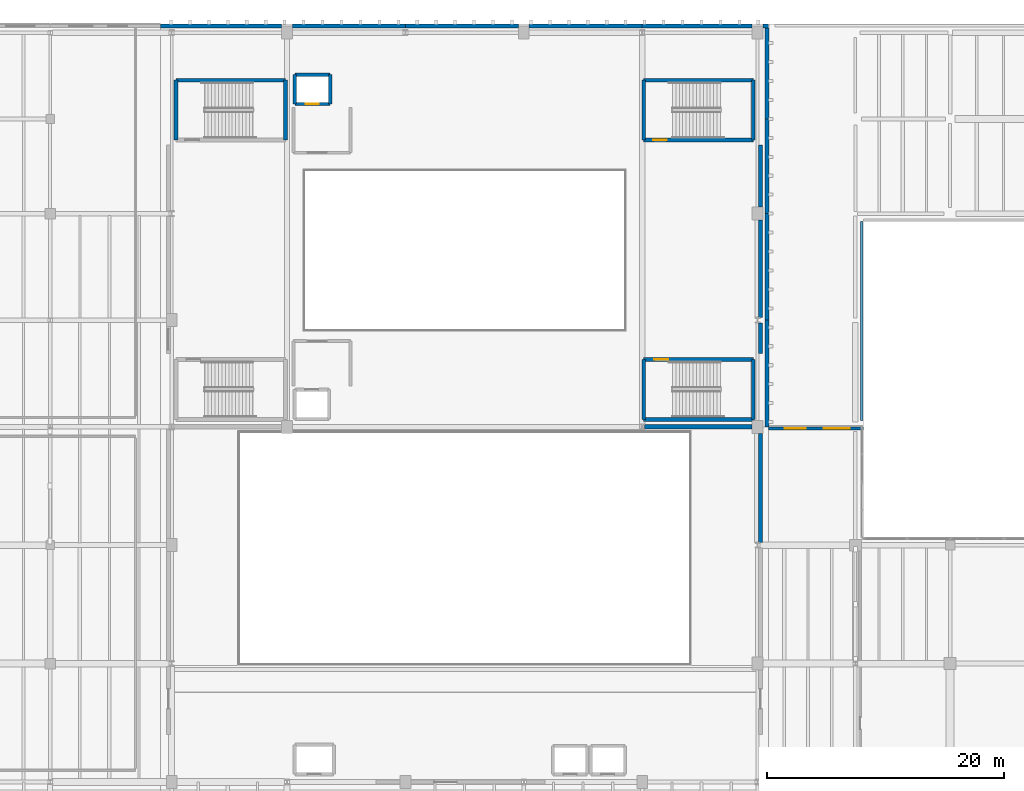
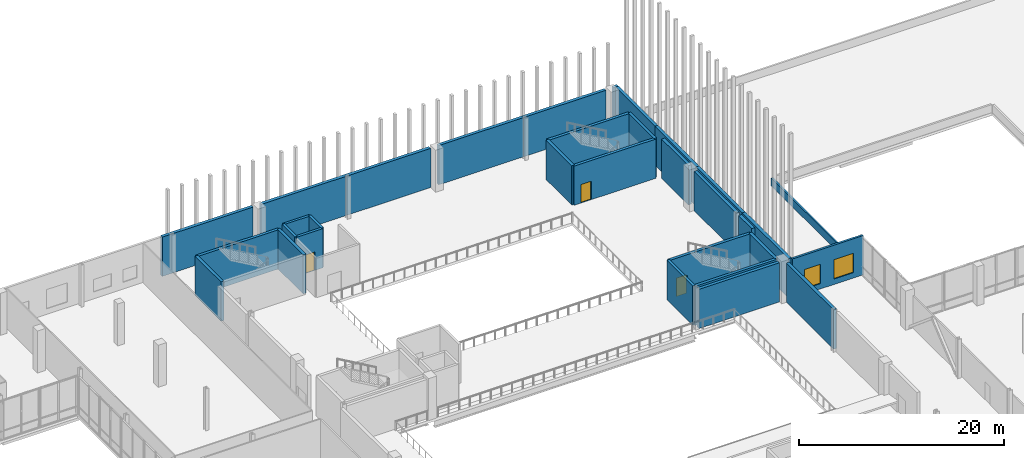
# One storey, part 46 of 60: 32 walls, 3 doors, 2 windows, 5 openings.
"""IFC4 building model written with IfcOpenShell, lengths in metres."""

from ifc_helpers import new_model, si_unit, direction, frame, frame_2d, origin, place, context, subcontext, project, spatial, rectangle, extrude, material, layer, layer_set, type_object, element, fill, save


model = new_model("IFC4")

# Units and contexts
model_context = context("Model", 3, precision=1e-05, world=origin(), true_north=direction((0.0, 1.0)))
body_context = subcontext(model_context, "Body", "Model", "MODEL_VIEW")
ifc_project = project(units=[si_unit("LENGTHUNIT", "METRE"), si_unit("AREAUNIT", "SQUARE_METRE"), si_unit("VOLUMEUNIT", "CUBIC_METRE"), si_unit("PLANEANGLEUNIT", "RADIAN"), si_unit("MASSUNIT", "GRAM", prefix="KILO")], contexts=[model_context])

# Site, building, storey
site_placement = place(None, origin())
site = spatial("IfcSite", under=ifc_project, at=site_placement, CompositionType="ELEMENT")
building_placement = place(site_placement, origin())
building = spatial("IfcBuilding", under=site, at=building_placement, Name="Trimount Lyric Opera House", CompositionType="ELEMENT")
storey_placement = place(building_placement, frame((0.0, 0.0, 15.0)))
storey = spatial("IfcBuildingStorey", under=building, at=storey_placement, Name="L03", CompositionType="ELEMENT", Elevation=15.0)

# Wall
ifc_material_1 = material(Name="Precast concrete C40/50", Category="concrete")
ifc_layer_1 = layer(ifc_material_1, 0.18994140625)
ifc_layer_set_1 = layer_set([ifc_layer_1], Name="WL-PA190")
wall_type_1 = type_object("IfcWallType", Name="WL-PA190", PredefinedType="PARAPET", material=ifc_layer_set_1)
wall_1_placement = place(storey_placement, frame((122.5400390625, 101.320068359375, 0.0), z_axis=(0.0, 0.0, 1.0), x_axis=(0.0, -1.0, 0.0)))
element("IfcWall", 1, at=wall_1_placement, inside=storey, type_object=wall_type_1, Name="L03 roof parapet 013", PredefinedType="PARAPET", context=body_context, shape_type="SweptSolid", body=[
    extrude(rectangle(XDim=16.77001953125, YDim=0.18994140625, at=frame_2d((8.385009765625, 0.0))), origin(), (0.0, 0.0, 1.0), 0.949951171875),
])

# Wall, opening, door
ifc_material_2 = material(Name="Concrete C40/50", Category="concrete")
ifc_layer_2 = layer(ifc_material_2, 0.280029296875)
ifc_layer_set_2 = layer_set([ifc_layer_2], Name="WL-SH280")
wall_type_2 = type_object("IfcWallType", Name="WL-SH280", PredefinedType="SHEAR", material=ifc_layer_set_2)
wall_2_placement = place(storey_placement, frame((74.659912109375, 111.260009765625, 0.0), z_axis=(0.0, 0.0, 1.0), x_axis=(1.0, 0.0, 0.0)))
wall_2 = element("IfcWall", 2, at=wall_2_placement, inside=storey, type_object=wall_type_2, Name="Lift LF-05 L03 south shaft wall", PredefinedType="SHEAR", context=body_context, shape_type="SweptSolid", body=[
    extrude(rectangle(XDim=2.97998046875, YDim=0.280029296875, at=frame_2d((1.489990234375, 0.0))), origin(), (0.0, 0.0, 1.0), 4.675048828125),
])
opening_1_placement = place(wall_2_placement, frame((0.93994140625, 0.0, 0.0)))
opening_1 = element("IfcOpeningElement", 3, at=opening_1_placement, cuts=wall_2, Name="Opening DT-LD1", PredefinedType="OPENING", context=body_context, shape_type="SweptSolid", body=[
    extrude(rectangle(XDim=1.10009765625, YDim=2.199951171875, at=frame_2d((0.550048828125, 1.10009765625))), frame((0.0, 0.14990234375, 0.0), z_axis=(0.0, -1.0, 0.0), x_axis=(1.0, 0.0, 0.0)), (0.0, 0.0, 1.0), 0.300048828125),
])
ifc_material_3 = material(Name="Brushed Stainless Steel", Category="steel")
door_type_1 = type_object("IfcDoorType", Name="DT-LD1", OperationType="SLIDING_TO_LEFT", PredefinedType="DOOR", material=ifc_material_3)
door_1_placement = place(opening_1_placement, origin())
door_1 = element("IfcDoor", 4, at=door_1_placement, inside=storey, type_object=door_type_1, Name="D-099", OperationType="SLIDING_TO_LEFT", OverallHeight=2.199951171875, OverallWidth=1.10009765625, PredefinedType="DOOR", context=body_context, shape_type="SweptSolid", body=[
    extrude(rectangle(XDim=1.10009765625, YDim=2.199951171875, at=frame_2d((0.550048828125, 1.10009765625))), frame((0.0, 0.02490234375, 0.0), z_axis=(0.0, -1.0, 0.0), x_axis=(1.0, 0.0, 0.0)), (0.0, 0.0, 1.0), 0.050048828125),
])
fill(opening_1, door_1)

# Walls
wall_3_placement = place(storey_placement, frame((77.639892578125, 113.739990234375, 0.0), z_axis=(0.0, 0.0, 1.0), x_axis=(-1.0, 0.0, 0.0)))
element("IfcWall", 5, at=wall_3_placement, inside=storey, type_object=wall_type_2, Name="Lift LF-05 L03 north shaft wall", PredefinedType="SHEAR", context=body_context, shape_type="SweptSolid", body=[
    extrude(rectangle(XDim=2.97998046875, YDim=0.280029296875, at=frame_2d((1.489990234375, 0.0))), origin(), (0.0, 0.0, 1.0), 4.675048828125),
])
for number, where, z_axis, x_axis, name in (
    (6, (74.659912109375, 113.739990234375, 0.0), (0.0, 0.0, 1.0), (0.0, -1.0, 0.0), "Lift LF-05 L03 west shaft wall"),
    (7, (77.639892578125, 111.260009765625, 0.0), (0.0, 0.0, 1.0), (0.0, 1.0, 0.0), "Lift LF-05 L03 east shaft wall"),
):
    element("IfcWall", number, at=place(storey_placement, frame(where, z_axis=z_axis, x_axis=x_axis)), inside=storey, type_object=wall_type_2, Name=name, PredefinedType="SHEAR", context=body_context, shape_type="SweptSolid", body=[
        extrude(rectangle(XDim=2.47998046875, YDim=0.280029296875, at=frame_2d((1.239990234375, 0.0))), origin(), (0.0, 0.0, 1.0), 4.675048828125),
    ])
ifc_material_4 = material(Name="Concrete C40/50", Category="concrete")
ifc_layer_3 = layer(ifc_material_4, 0.320068359375)
ifc_layer_set_3 = layer_set([ifc_layer_3], Name="WL-SH320")
wall_type_3 = type_object("IfcWallType", Name="WL-SH320", PredefinedType="SHEAR", material=ifc_layer_set_3)
wall_4_placement = place(storey_placement, frame((73.875, 113.27490234375, 0.0), z_axis=(0.0, 0.0, 1.0), x_axis=(-1.0, 0.0, 0.0)))
element("IfcWall", 8, at=wall_4_placement, inside=storey, type_object=wall_type_3, Name="K1 L03 north shaft wall", PredefinedType="SHEAR", context=body_context, shape_type="SweptSolid", body=[
    extrude(rectangle(XDim=9.25, YDim=0.320068359375, at=frame_2d((4.625, 0.0))), origin(), (0.0, 0.0, 1.0), 4.675048828125),
])
for number, where, z_axis, x_axis, name in (
    (9, (64.625, 113.27490234375, 0.0), (0.0, 0.0, 1.0), (0.0, -1.0, 0.0), "K1 L03 west shaft wall"),
    (10, (73.875, 108.22509765625, 0.0), (0.0, 0.0, 1.0), (0.0, 1.0, 0.0), "K1 L03 east shaft wall"),
):
    element("IfcWall", number, at=place(storey_placement, frame(where, z_axis=z_axis, x_axis=x_axis)), inside=storey, type_object=wall_type_3, Name=name, PredefinedType="SHEAR", context=body_context, shape_type="SweptSolid", body=[
        extrude(rectangle(XDim=5.0498046875, YDim=0.320068359375, at=frame_2d((2.52490234375, 0.0))), origin(), (0.0, 0.0, 1.0), 4.675048828125),
    ])

# Wall, opening, door
wall_5_placement = place(storey_placement, frame((104.125, 108.22509765625, 0.0), z_axis=(0.0, 0.0, 1.0), x_axis=(1.0, 0.0, 0.0)))
wall_5 = element("IfcWall", 11, at=wall_5_placement, inside=storey, type_object=wall_type_3, Name="K2 L03 south shaft wall", PredefinedType="SHEAR", context=body_context, shape_type="SweptSolid", body=[
    extrude(rectangle(XDim=9.25, YDim=0.320068359375, at=frame_2d((4.625, 0.0))), origin(), (0.0, 0.0, 1.0), 4.675048828125),
])
opening_2_placement = place(wall_5_placement, frame((0.800048828125, 0.0, 0.0)))
opening_2 = element("IfcOpeningElement", 12, at=opening_2_placement, cuts=wall_5, Name="Opening DT-ST1", PredefinedType="OPENING", context=body_context, shape_type="SweptSolid", body=[
    extrude(rectangle(XDim=1.14990234375, YDim=2.199951171875, at=frame_2d((0.574951171875, 1.10009765625))), frame((0.0, 0.169921875, 0.0), z_axis=(0.0, -1.0, 0.0), x_axis=(1.0, 0.0, 0.0)), (0.0, 0.0, 1.0), 0.340087890625),
])
ifc_material_5 = material(Name="Fire-Rated Hollow Steel", Category="steel")
door_type_2 = type_object("IfcDoorType", Name="DT-ST1", OperationType="NOTDEFINED", PredefinedType="DOOR", material=ifc_material_5)
door_2_placement = place(opening_2_placement, origin())
door_2 = element("IfcDoor", 13, at=door_2_placement, inside=storey, type_object=door_type_2, Name="D-019", OperationType="SINGLE_SWING_LEFT", OverallHeight=2.199951171875, OverallWidth=1.14990234375, PredefinedType="DOOR", context=body_context, shape_type="SweptSolid", body=[
    extrude(rectangle(XDim=1.14990234375, YDim=2.199951171875, at=frame_2d((0.574951171875, 1.10009765625))), frame((0.0, 0.02490234375, 0.0), z_axis=(0.0, -1.0, 0.0), x_axis=(1.0, 0.0, 0.0)), (0.0, 0.0, 1.0), 0.050048828125),
])
fill(opening_2, door_2)

# Walls
wall_6_placement = place(storey_placement, frame((113.375, 113.27490234375, 0.0), z_axis=(0.0, 0.0, 1.0), x_axis=(-1.0, 0.0, 0.0)))
element("IfcWall", 14, at=wall_6_placement, inside=storey, type_object=wall_type_3, Name="K2 L03 north shaft wall", PredefinedType="SHEAR", context=body_context, shape_type="SweptSolid", body=[
    extrude(rectangle(XDim=9.25, YDim=0.320068359375, at=frame_2d((4.625, 0.0))), origin(), (0.0, 0.0, 1.0), 4.675048828125),
])
for number, where, z_axis, x_axis, name in (
    (15, (104.125, 113.27490234375, 0.0), (0.0, 0.0, 1.0), (0.0, -1.0, 0.0), "K2 L03 west shaft wall"),
    (16, (113.375, 108.22509765625, 0.0), (0.0, 0.0, 1.0), (0.0, 1.0, 0.0), "K2 L03 east shaft wall"),
):
    element("IfcWall", number, at=place(storey_placement, frame(where, z_axis=z_axis, x_axis=x_axis)), inside=storey, type_object=wall_type_3, Name=name, PredefinedType="SHEAR", context=body_context, shape_type="SweptSolid", body=[
        extrude(rectangle(XDim=5.0498046875, YDim=0.320068359375, at=frame_2d((2.52490234375, 0.0))), origin(), (0.0, 0.0, 1.0), 4.675048828125),
    ])
wall_7_placement = place(storey_placement, frame((104.125, 84.625, 0.0), z_axis=(0.0, 0.0, 1.0), x_axis=(1.0, 0.0, 0.0)))
element("IfcWall", 17, at=wall_7_placement, inside=storey, type_object=wall_type_3, Name="K4 L03 south shaft wall", PredefinedType="SHEAR", context=body_context, shape_type="SweptSolid", body=[
    extrude(rectangle(XDim=9.25, YDim=0.320068359375, at=frame_2d((4.625, 0.0))), origin(), (0.0, 0.0, 1.0), 4.675048828125),
])

# Wall, opening, door
wall_8_placement = place(storey_placement, frame((113.375, 89.675048828125, 0.0), z_axis=(0.0, 0.0, 1.0), x_axis=(-1.0, 0.0, 0.0)))
wall_8 = element("IfcWall", 18, at=wall_8_placement, inside=storey, type_object=wall_type_3, Name="K4 L03 north shaft wall", PredefinedType="SHEAR", context=body_context, shape_type="SweptSolid", body=[
    extrude(rectangle(XDim=9.25, YDim=0.320068359375, at=frame_2d((4.625, 0.0))), origin(), (0.0, 0.0, 1.0), 4.675048828125),
])
opening_3_placement = place(wall_8_placement, frame((7.199951171875, 0.0, 0.0)))
opening_3 = element("IfcOpeningElement", 19, at=opening_3_placement, cuts=wall_8, Name="Opening DT-ST1", PredefinedType="OPENING", context=body_context, shape_type="SweptSolid", body=[
    extrude(rectangle(XDim=1.14990234375, YDim=2.199951171875, at=frame_2d((0.574951171875, 1.10009765625))), frame((0.0, 0.169921875, 0.0), z_axis=(0.0, -1.0, 0.0), x_axis=(1.0, 0.0, 0.0)), (0.0, 0.0, 1.0), 0.340087890625),
])
door_3_placement = place(opening_3_placement, origin())
door_3 = element("IfcDoor", 20, at=door_3_placement, inside=storey, type_object=door_type_2, Name="D-035", OperationType="SINGLE_SWING_LEFT", OverallHeight=2.199951171875, OverallWidth=1.14990234375, PredefinedType="DOOR", context=body_context, shape_type="SweptSolid", body=[
    extrude(rectangle(XDim=1.14990234375, YDim=2.199951171875, at=frame_2d((0.574951171875, 1.10009765625))), frame((0.0, 0.02490234375, 0.0), z_axis=(0.0, -1.0, 0.0), x_axis=(1.0, 0.0, 0.0)), (0.0, 0.0, 1.0), 0.050048828125),
])
fill(opening_3, door_3)

# Walls
for number, where, z_axis, x_axis, name in (
    (21, (104.125, 89.675048828125, 0.0), (0.0, 0.0, 1.0), (0.0, -1.0, 0.0), "K4 L03 west shaft wall"),
    (22, (113.375, 84.625, 0.0), (0.0, 0.0, 1.0), (0.0, 1.0, 0.0), "K4 L03 east shaft wall"),
):
    element("IfcWall", number, at=place(storey_placement, frame(where, z_axis=z_axis, x_axis=x_axis)), inside=storey, type_object=wall_type_3, Name=name, PredefinedType="SHEAR", context=body_context, shape_type="SweptSolid", body=[
        extrude(rectangle(XDim=5.050048828125, YDim=0.320068359375, at=frame_2d((2.52490234375, 0.0))), origin(), (0.0, 0.0, 1.0), 4.675048828125),
    ])
ifc_material_6 = material(Name="Concrete C40/50", Category="concrete")
ifc_layer_4 = layer(ifc_material_6, 0.35009765625)
ifc_layer_set_4 = layer_set([ifc_layer_4], Name="WL-SH350")
wall_type_4 = type_object("IfcWallType", Name="WL-SH350", PredefinedType="SHEAR", material=ifc_layer_set_4)
wall_9_placement = place(storey_placement, frame((114.0, 74.232421875, 0.0), z_axis=(0.0, 0.0, 1.0), x_axis=(0.0, 1.0, 0.0)))
element("IfcWall", 23, at=wall_9_placement, inside=storey, type_object=wall_type_4, Name="L03 auditorium east acoustic shear wall", PredefinedType="SHEAR", context=body_context, shape_type="SweptSolid", body=[
    extrude(rectangle(XDim=9.217529296875, YDim=0.35009765625, at=frame_2d((4.60888671875, 0.0))), origin(), (0.0, 0.0, 1.0), 4.675048828125),
])
wall_10_placement = place(storey_placement, frame((114.0, 90.199951171875, 0.0), z_axis=(0.0, 0.0, 1.0), x_axis=(0.0, 1.0, 0.0)))
element("IfcWall", 24, at=wall_10_placement, inside=storey, type_object=wall_type_4, Name="L03 fly-tower east shear wall", PredefinedType="SHEAR", context=body_context, shape_type="SweptSolid", body=[
    extrude(rectangle(XDim=2.567626953125, YDim=0.35009765625, at=frame_2d((1.28369140625, 0.0))), origin(), (0.0, 0.0, 1.0), 4.675048828125),
])
wall_11_placement = place(storey_placement, frame((114.0, 93.232421875, 0.0), z_axis=(0.0, 0.0, 1.0), x_axis=(0.0, 1.0, 0.0)))
element("IfcWall", 25, at=wall_11_placement, inside=storey, type_object=wall_type_4, Name="L03 fly-tower east shear wall", PredefinedType="SHEAR", context=body_context, shape_type="SweptSolid", body=[
    extrude(rectangle(XDim=8.217529296875, YDim=0.35009765625, at=frame_2d((4.10888671875, 0.0))), origin(), (0.0, 0.0, 1.0), 4.675048828125),
])
wall_12_placement = place(storey_placement, frame((114.0, 102.550048828125, 0.0), z_axis=(0.0, 0.0, 1.0), x_axis=(0.0, 1.0, 0.0)))
element("IfcWall", 26, at=wall_12_placement, inside=storey, type_object=wall_type_4, Name="L03 fly-tower east shear wall", PredefinedType="SHEAR", context=body_context, shape_type="SweptSolid", body=[
    extrude(rectangle(XDim=5.25, YDim=0.35009765625, at=frame_2d((2.625, 0.0))), origin(), (0.0, 0.0, 1.0), 4.675048828125),
])
wall_13_placement = place(storey_placement, frame((104.2109375, 84.0, 0.0), z_axis=(0.0, 0.0, 1.0), x_axis=(1.0, 0.0, 0.0)))
element("IfcWall", 27, at=wall_13_placement, inside=storey, type_object=wall_type_4, Name="L03 proscenium east wing wall", PredefinedType="SHEAR", context=body_context, shape_type="SweptSolid", body=[
    extrude(rectangle(XDim=9.0791015625, YDim=0.35009765625, at=frame_2d((4.53955078125, 0.0))), origin(), (0.0, 0.0, 1.0), 4.675048828125),
])
wall_14_placement = place(storey_placement, frame((63.320068359375, 117.860107421875, 0.0), z_axis=(0.0, 0.0, 1.0), x_axis=(1.0, 0.0, 0.0)))
element("IfcWall", 28, at=wall_14_placement, inside=storey, type_object=wall_type_4, Name="L03 exterior facade wall 258", PredefinedType="SHEAR", context=body_context, shape_type="SweptSolid", body=[
    extrude(rectangle(XDim=10.22998046875, YDim=0.35009765625, at=frame_2d((5.114990234375, 0.0))), origin(), (0.0, 0.0, 1.0), 4.675048828125),
])
for number, where, z_axis, x_axis, name in (
    (29, (74.449951171875, 117.860107421875, 0.0), (0.0, 0.0, 1.0), (1.0, 0.0, 0.0), "L03 exterior facade wall 259"),
    (30, (84.0, 117.860107421875, 0.0), (0.0, 0.0, 1.0), (1.0, 0.0, 0.0), "L03 exterior facade wall 260"),
    (31, (94.449951171875, 117.860107421875, 0.0), (0.0, 0.0, 1.0), (1.0, 0.0, 0.0), "L03 exterior facade wall 261"),
):
    element("IfcWall", number, at=place(storey_placement, frame(where, z_axis=z_axis, x_axis=x_axis)), inside=storey, type_object=wall_type_4, Name=name, PredefinedType="SHEAR", context=body_context, shape_type="SweptSolid", body=[
        extrude(rectangle(XDim=9.550048828125, YDim=0.35009765625, at=frame_2d((4.77490234375, 0.0))), origin(), (0.0, 0.0, 1.0), 4.675048828125),
    ])
wall_15_placement = place(storey_placement, frame((104.0, 117.860107421875, 0.0), z_axis=(0.0, 0.0, 1.0), x_axis=(1.0, 0.0, 0.0)))
element("IfcWall", 32, at=wall_15_placement, inside=storey, type_object=wall_type_4, Name="L03 exterior facade wall 262", PredefinedType="SHEAR", context=body_context, shape_type="SweptSolid", body=[
    extrude(rectangle(XDim=9.2900390625, YDim=0.35009765625, at=frame_2d((4.64501953125, 0.0))), origin(), (0.0, 0.0, 1.0), 4.675048828125),
])
wall_16_placement = place(storey_placement, frame((114.18994140625, 117.860107421875, 0.0), z_axis=(0.0, 0.0, 1.0), x_axis=(1.0, 0.0, 0.0)))
element("IfcWall", 33, at=wall_16_placement, inside=storey, type_object=wall_type_4, Name="L03 exterior facade wall 262", PredefinedType="SHEAR", context=body_context, shape_type="SweptSolid", body=[
    extrude(rectangle(XDim=0.489990234375, YDim=0.35009765625, at=frame_2d((0.2451171875, 0.0))), origin(), (0.0, 0.0, 1.0), 4.675048828125),
])
wall_17_placement = place(storey_placement, frame((114.5400390625, 117.679931640625, 0.0), z_axis=(0.0, 0.0, 1.0), x_axis=(0.0, -1.0, 0.0)))
element("IfcWall", 34, at=wall_17_placement, inside=storey, type_object=wall_type_4, Name="L03 exterior facade wall 263", PredefinedType="SHEAR", context=body_context, shape_type="SweptSolid", body=[
    extrude(rectangle(XDim=7.679931640625, YDim=0.35009765625, at=frame_2d((3.83984375, 0.0))), origin(), (0.0, 0.0, 1.0), 4.675048828125),
])
wall_18_placement = place(storey_placement, frame((114.5400390625, 110.0, 0.0), z_axis=(0.0, 0.0, 1.0), x_axis=(0.0, -1.0, 0.0)))
element("IfcWall", 35, at=wall_18_placement, inside=storey, type_object=wall_type_4, Name="L03 exterior facade wall 264", PredefinedType="SHEAR", context=body_context, shape_type="SweptSolid", body=[
    extrude(rectangle(XDim=8.0, YDim=0.35009765625, at=frame_2d((4.0, 0.0))), origin(), (0.0, 0.0, 1.0), 4.675048828125),
])
for number, where, z_axis, x_axis, name in (
    (36, (114.5400390625, 102.0, 0.0), (0.0, 0.0, 1.0), (0.0, -1.0, 0.0), "L03 exterior facade wall 265"),
    (37, (114.5400390625, 93.0, 0.0), (0.0, 0.0, 1.0), (0.0, -1.0, 0.0), "L03 exterior facade wall 266"),
):
    element("IfcWall", number, at=place(storey_placement, frame(where, z_axis=z_axis, x_axis=x_axis)), inside=storey, type_object=wall_type_4, Name=name, PredefinedType="SHEAR", context=body_context, shape_type="SweptSolid", body=[
        extrude(rectangle(XDim=9.0, YDim=0.35009765625, at=frame_2d((4.5, 0.0))), origin(), (0.0, 0.0, 1.0), 4.675048828125),
    ])

# Wall, openings, windows
ifc_material_7 = material(Name="Concrete C35/45", Category="concrete")
ifc_layer_5 = layer(ifc_material_7, 0.239990234375)
ifc_layer_set_5 = layer_set([ifc_layer_5], Name="WL-SW240")
wall_type_5 = type_object("IfcWallType", Name="WL-SW240", PredefinedType="SOLIDWALL", material=ifc_layer_set_5)
wall_19_placement = place(storey_placement, frame((114.679931640625, 83.860107421875, 0.0), z_axis=(0.0, 0.0, 1.0), x_axis=(1.0, 0.0, 0.0)))
wall_19 = element("IfcWall", 38, at=wall_19_placement, inside=storey, type_object=wall_type_5, Name="L03 exterior facade wall 267", PredefinedType="SOLIDWALL", context=body_context, shape_type="SweptSolid", body=[
    extrude(rectangle(XDim=8.0, YDim=0.239990234375, at=frame_2d((4.0, 0.0))), origin(), (0.0, 0.0, 1.0), 4.675048828125),
])
opening_4_placement = place(wall_19_placement, frame((1.340087890625, 0.0, 0.64990234375)))
opening_4 = element("IfcOpeningElement", 39, at=opening_4_placement, cuts=wall_19, Name="Opening WT-04", PredefinedType="OPENING", context=body_context, shape_type="SweptSolid", body=[
    extrude(rectangle(XDim=1.800048828125, YDim=2.300048828125, at=frame_2d((0.89990234375, 1.14990234375))), frame((0.0, 0.1298828125, 0.0), z_axis=(0.0, -1.0, 0.0), x_axis=(1.0, 0.0, 0.0)), (0.0, 0.0, 1.0), 0.260009765625),
])
opening_5_placement = place(wall_19_placement, frame((4.659912109375, 0.0, 0.64990234375)))
opening_5 = element("IfcOpeningElement", 40, at=opening_5_placement, cuts=wall_19, Name="Opening WT-02", PredefinedType="OPENING", context=body_context, shape_type="SweptSolid", body=[
    extrude(rectangle(XDim=2.199951171875, YDim=2.300048828125, at=frame_2d((1.10009765625, 1.14990234375))), frame((0.0, 0.1298828125, 0.0), z_axis=(0.0, -1.0, 0.0), x_axis=(1.0, 0.0, 0.0)), (0.0, 0.0, 1.0), 0.260009765625),
])
ifc_material_8 = material(Name="Triple Acoustic Glazing in Aluminium Frame", Category="aluminium")
window_type_1 = type_object("IfcWindowType", Name="WT-02", PartitioningType="DOUBLE_PANEL_VERTICAL", PredefinedType="WINDOW", material=ifc_material_8)
window_1_placement = place(opening_5_placement, origin())
window_1 = element("IfcWindow", 41, at=window_1_placement, inside=storey, type_object=window_type_1, Name="Window WT-02-0236", OverallHeight=2.300048828125, OverallWidth=2.199951171875, PartitioningType="SINGLE_PANEL", PredefinedType="WINDOW", context=body_context, shape_type="SweptSolid", body=[
    extrude(rectangle(XDim=2.199951171875, YDim=2.300048828125, at=frame_2d((1.10009765625, 1.14990234375))), frame((0.0, 0.030029296875, 0.0), z_axis=(0.0, -1.0, 0.0), x_axis=(1.0, 0.0, 0.0)), (0.0, 0.0, 1.0), 0.06005859375),
])
fill(opening_5, window_1)
ifc_material_9 = material(Name="Triple Acoustic Glazing in Aluminium Frame", Category="aluminium")
window_type_2 = type_object("IfcWindowType", Name="WT-04", PartitioningType="DOUBLE_PANEL_VERTICAL", PredefinedType="WINDOW", material=ifc_material_9)
window_2_placement = place(opening_4_placement, origin())
window_2 = element("IfcWindow", 42, at=window_2_placement, inside=storey, type_object=window_type_2, Name="Window WT-04-0235", OverallHeight=2.300048828125, OverallWidth=1.800048828125, PartitioningType="SINGLE_PANEL", PredefinedType="WINDOW", context=body_context, shape_type="SweptSolid", body=[
    extrude(rectangle(XDim=1.800048828125, YDim=2.300048828125, at=frame_2d((0.89990234375, 1.14990234375))), frame((0.0, 0.030029296875, 0.0), z_axis=(0.0, -1.0, 0.0), x_axis=(1.0, 0.0, 0.0)), (0.0, 0.0, 1.0), 0.06005859375),
])
fill(opening_4, window_2)

save(model, "model.ifc")
